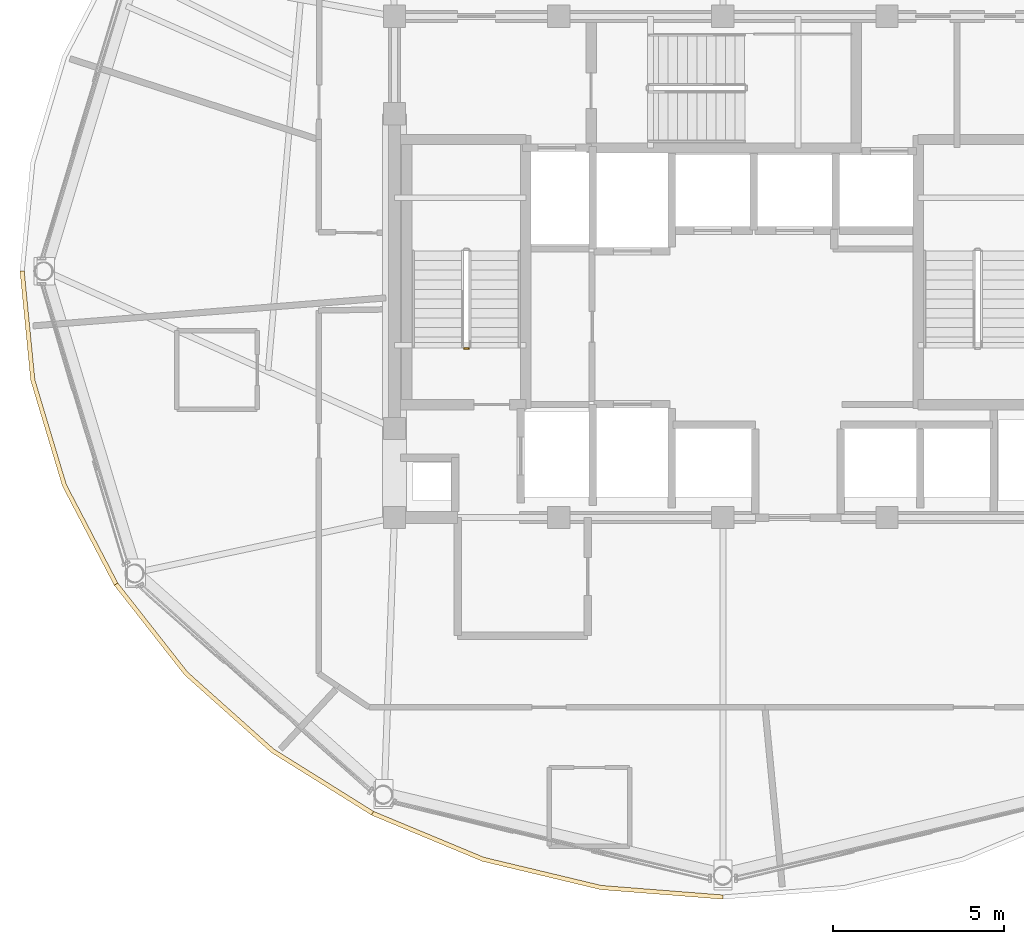
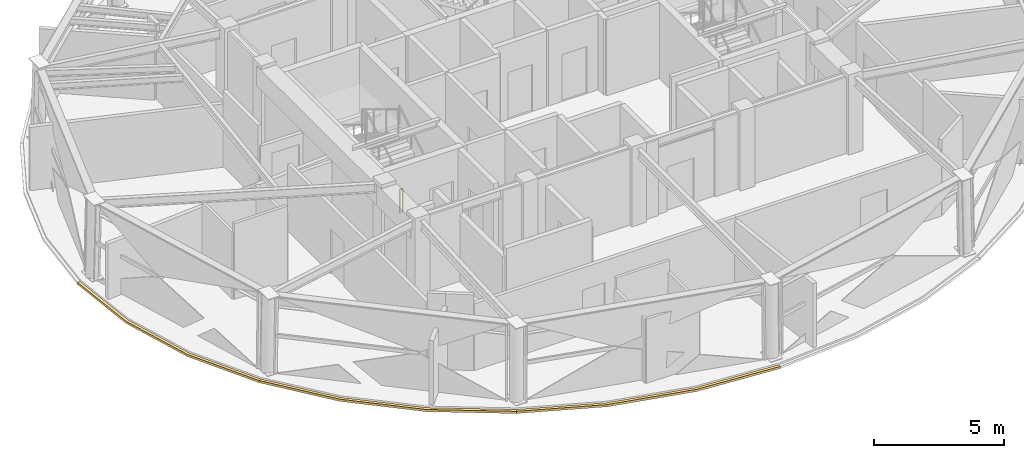
# One storey, part 12 of 15: 3 coverings, 1 railing.
"""IFC4 building model written with IfcOpenShell, lengths in metres."""

from ifc_helpers import new_model, si_unit, direction, frame, origin, origin_2d, place, context, subcontext, project, spatial, polyline, rectangle, outline, extrude, material, layer, layer_set, type_object, element, save


model = new_model("IFC4")

# Units and contexts
model_context = context("Model", 3, precision=1e-05, world=origin(), true_north=direction((0.0, 1.0)))
body_context = subcontext(model_context, "Body", "Model", "MODEL_VIEW")
ifc_project = project(units=[si_unit("LENGTHUNIT", "METRE"), si_unit("AREAUNIT", "SQUARE_METRE"), si_unit("VOLUMEUNIT", "CUBIC_METRE"), si_unit("PLANEANGLEUNIT", "RADIAN"), si_unit("MASSUNIT", "GRAM", prefix="KILO")], contexts=[model_context])

# Site, building, storey
site_placement = place(None, origin())
site = spatial("IfcSite", under=ifc_project, at=site_placement, CompositionType="ELEMENT")
building_placement = place(site_placement, origin())
building = spatial("IfcBuilding", under=site, at=building_placement, Name="Vantalir Tower", CompositionType="ELEMENT")
storey_placement = place(building_placement, frame((0.0, 0.0, 263.85009765625)))
storey = spatial("IfcBuildingStorey", under=building, at=storey_placement, Name="L66", CompositionType="ELEMENT", Elevation=263.85009765625)

# Coverings
ifc_material_1 = material(Name="Anodised champagne aluminium sill fascia", Category="aluminium")
ifc_layer = layer(ifc_material_1, 0.125)
ifc_layer_set = layer_set([ifc_layer], Name="Anodised champagne aluminium sill fascia")
covering_type = type_object("IfcCoveringType", Name="COV-SLAB-FASCIA-125", PredefinedType="CLADDING", material=ifc_layer_set)
covering_1_placement = place(storey_placement, frame((0.0, 0.0, -0.18017578125)))
element("IfcCovering", 1, at=covering_1_placement, inside=storey, type_object=covering_type, Name="L66 Perimeter Slab-Edge Sill Fascia 07", PredefinedType="CLADDING", context=body_context, shape_type="SweptSolid", body=[
    extrude(outline(polyline([(10.955078125, 25.0), (11.26708984375, 21.81201171875), (12.194091796875, 18.721923828125), (13.7080078125, 15.821044921875), (13.81591796875, 15.884033203125), (12.31103515625, 18.763916015625), (11.389892578125, 21.833984375), (11.080078125, 25.0), (10.955078125, 25.0)])), origin(), (0.0, 0.0, 1.0), 0.10498046875),
])
covering_2_placement = place(storey_placement, frame((0.0, 0.0, -0.18017578125)))
element("IfcCovering", 2, at=covering_2_placement, inside=storey, type_object=covering_type, Name="L66 Perimeter Slab-Edge Sill Fascia 08", PredefinedType="CLADDING", context=body_context, shape_type="SweptSolid", body=[
    extrude(outline(polyline([(13.7080078125, 15.821044921875), (15.761962890625, 13.199951171875), (18.2939453125, 10.93798828125), (21.22705078125, 9.10205078125), (21.2900390625, 9.2109375), (18.3740234375, 11.032958984375), (15.85693359375, 13.281005859375), (13.81591796875, 15.884033203125), (13.7080078125, 15.821044921875)])), origin(), (0.0, 0.0, 1.0), 0.10498046875),
])
covering_3_placement = place(storey_placement, frame((0.0, 0.0, -0.18017578125)))
element("IfcCovering", 3, at=covering_3_placement, inside=storey, type_object=covering_type, Name="L66 Perimeter Slab-Edge Sill Fascia 09", PredefinedType="CLADDING", context=body_context, shape_type="SweptSolid", body=[
    extrude(outline(polyline([(21.22705078125, 9.10205078125), (24.472900390625, 7.75), (27.931884765625, 6.922119140625), (31.5, 6.64306640625), (31.5, 6.76806640625), (27.9541015625, 7.044921875), (24.51611328125, 7.867919921875), (21.2900390625, 9.2109375), (21.22705078125, 9.10205078125)])), origin(), (0.0, 0.0, 1.0), 0.10498046875),
])

# Railing
ifc_material_2 = material(Name="Anodised aluminium and stainless steel guard", Category="steel")
railing_type = type_object("IfcRailingType", Name="RAL-GUARD-1120", PredefinedType="GUARDRAIL", material=ifc_material_2)
railing_placement = place(storey_placement, frame((24.06005859375, 22.739990234375, 0.0)))
element("IfcRailing", 4, at=railing_placement, inside=storey, type_object=railing_type, Name="L66 ST1 stair guard 4", PredefinedType="GUARDRAIL", context=body_context, shape_type="SweptSolid", body=[
    extrude(rectangle(XDim=0.048095703125, YDim=0.048095703125, at=origin_2d()), frame((0.0, 0.0, 1.09619140625), z_axis=(-1.0, 0.0, 0.0), x_axis=(0.0, -1.0, 0.0)), (0.0, 0.0, 1.0), 0.1201171875),
    extrude(rectangle(XDim=0.0419921875, YDim=0.0419921875, at=origin_2d()), origin(), (0.0, 0.0, 1.0), 1.072021484375),
    extrude(rectangle(XDim=0.0419921875, YDim=0.0419921875, at=origin_2d()), frame((-0.1201171875, 0.0, 0.0)), (0.0, 0.0, 1.0), 1.072021484375),
])

save(model, "model.ifc")
